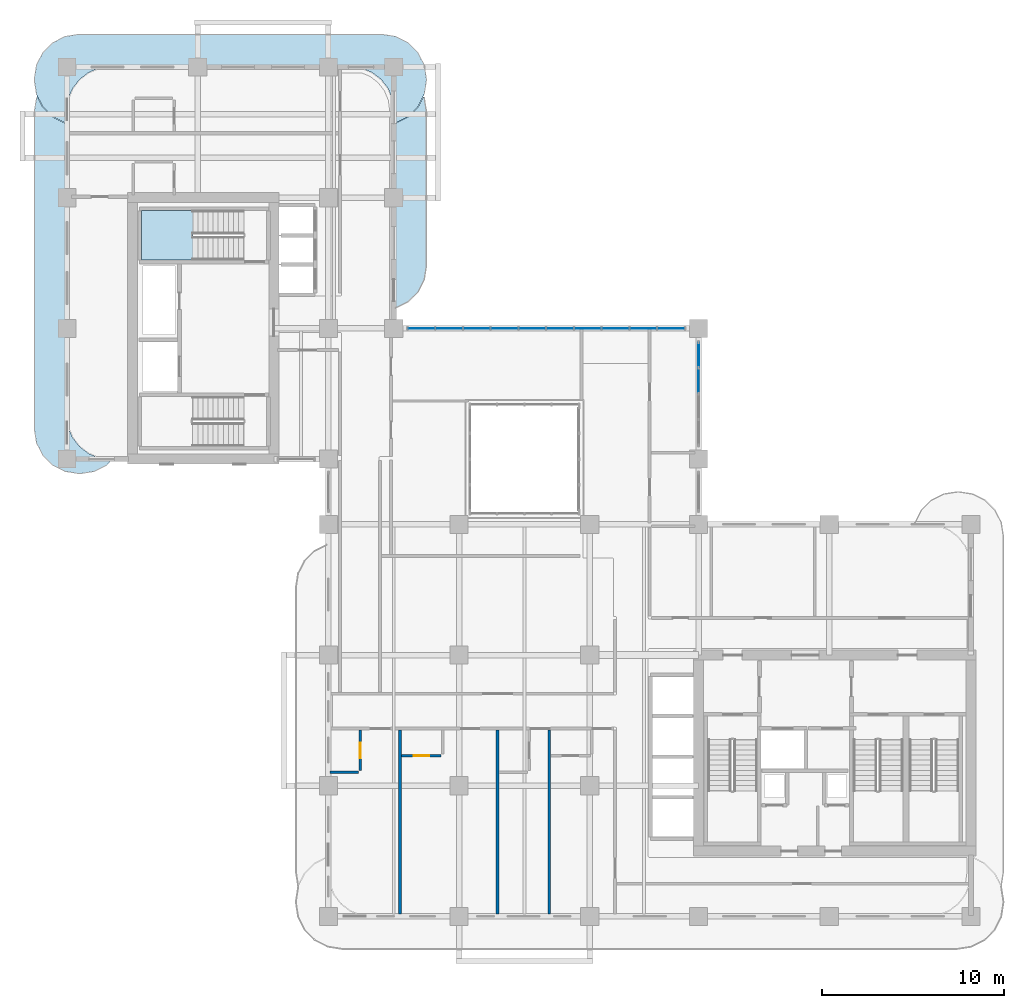
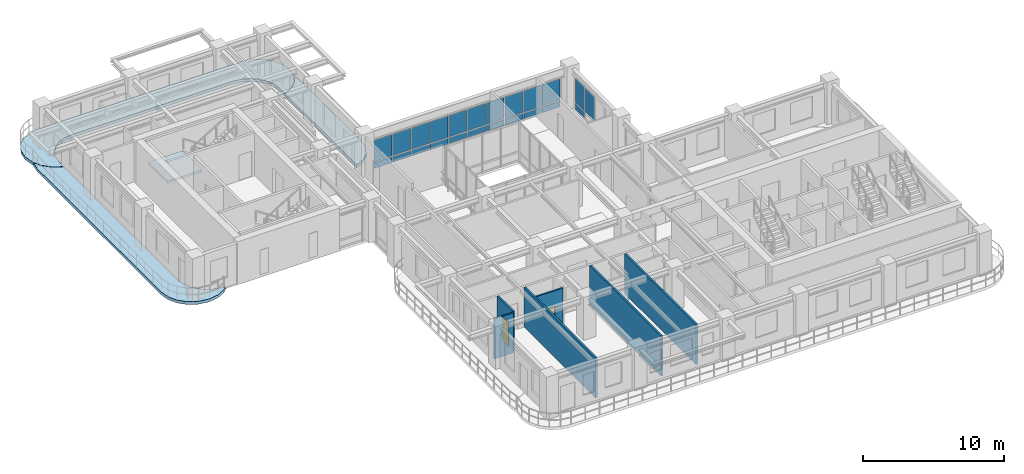
# One storey, part 10 of 20: 23 plates, 6 walls, 4 slabs, 2 doors, 2 openings, 3 elements without a shape of their own.
"""IFC4 building model written with IfcOpenShell, lengths in metres."""

import ifcopenshell
import ifcopenshell.guid

model = None  # the IFC model being written
_history = None  # IfcOwnerHistory: only IFC2X3 demands one
_inside = {}  # id of a spatial element -> (the spatial element, [elements in it])
_under = {}  # id of a project, library or spatial element -> (it, [spatial elements below it])
_declared = {}  # id of a project -> (the project, [libraries it declares])
_typed = {}  # id of a type object -> (the type object, [elements of that type])
_made_of = {}  # id of a material, layer set ... -> (it, [elements and type objects made of it])


def new_model(schema):
    """Start an empty IFC model of exactly this schema.

    Asked for "IFC4X3", IfcOpenShell would pick the latest addendum, in which some entities
    have other attributes; the version numbers below select the first issue.
    IFC2X3 requires an IfcOwnerHistory on every rooted entity: one is made here for all.
    """
    global model, _history
    if schema == "IFC4X3":
        model = ifcopenshell.file(schema_version=(4, 3, 0, 0))
    else:
        model = ifcopenshell.file(schema=schema)
    _inside.clear()
    _under.clear()
    _declared.clear()
    _typed.clear()
    _made_of.clear()
    _history = None
    if model.schema == "IFC2X3":
        org = make("IfcOrganization", Name="unknown")
        user = make(
            "IfcPersonAndOrganization",
            ThePerson=make("IfcPerson", FamilyName="unknown"),
            TheOrganization=org,
        )
        app = make(
            "IfcApplication",
            ApplicationDeveloper=org,
            Version="unknown",
            ApplicationFullName="unknown",
            ApplicationIdentifier="unknown",
        )
        _history = make(
            "IfcOwnerHistory",
            OwningUser=user,
            OwningApplication=app,
            ChangeAction="ADDED",
            CreationDate=0,
        )
    return model


def make(cls, **values):
    """One entity of the class cls with the attributes given. An attribute that is None is left unset."""
    return model.create_entity(
        cls, **{name: value for name, value in values.items() if value is not None}
    )


def rooted(cls, **values):
    """An entity with a GlobalId (a new one), such as an element, a storey or a relation."""
    return make(cls, GlobalId=ifcopenshell.guid.new(), OwnerHistory=_history, **values)


def si_unit(unit_type, name, prefix=None):
    """IfcSIUnit, for example si_unit("LENGTHUNIT", "METRE", prefix="MILLI")."""
    return make("IfcSIUnit", UnitType=unit_type, Prefix=prefix, Name=name)


def derived_unit(unit_type, elements):
    """IfcDerivedUnit: a product of units, each with its exponent."""
    return make(
        "IfcDerivedUnit",
        Elements=[
            make("IfcDerivedUnitElement", Unit=unit, Exponent=power)
            for unit, power in elements
        ],
        UnitType=unit_type,
    )


def assignment(units):
    """IfcUnitAssignment: the units of a project."""
    return None if units is None else make("IfcUnitAssignment", Units=units)


def point(xyz):
    """IfcCartesianPoint."""
    return None if xyz is None else make("IfcCartesianPoint", Coordinates=xyz)


def direction(xyz):
    """IfcDirection."""
    return None if xyz is None else make("IfcDirection", DirectionRatios=xyz)


def frame(location, z_axis=None, x_axis=None):
    """IfcAxis2Placement3D, a coordinate frame: its origin and axes. An axis left out is left unset."""
    return make(
        "IfcAxis2Placement3D",
        Location=point(location),
        Axis=direction(z_axis),
        RefDirection=direction(x_axis),
    )


def frame_2d(location, x_axis=None):
    """IfcAxis2Placement2D, a coordinate frame in the plane: its origin and x axis."""
    return make(
        "IfcAxis2Placement2D", Location=point(location), RefDirection=direction(x_axis)
    )


def origin():
    """The frame at (0, 0, 0) with its axes left unset."""
    return frame((0.0, 0.0, 0.0))


def origin_2d():
    """The frame at (0, 0) in the plane with its x axis left unset."""
    return frame_2d((0.0, 0.0))


def place(relative_to, where):
    """IfcLocalPlacement: puts the frame where relative to a parent placement (None: the world)."""
    return make(
        "IfcLocalPlacement", PlacementRelTo=relative_to, RelativePlacement=where
    )


def context(
    kind, dimensions, precision=None, world=None, true_north=None, identifier=None
):
    """IfcGeometricRepresentationContext, for example the 3D "Model" context."""
    return make(
        "IfcGeometricRepresentationContext",
        ContextIdentifier=identifier,
        ContextType=kind,
        CoordinateSpaceDimension=dimensions,
        Precision=precision,
        WorldCoordinateSystem=world,
        TrueNorth=true_north,
    )


def subcontext(parent, identifier, kind, view, scale=None):
    """IfcGeometricRepresentationSubContext, for example "Body" below "Model"."""
    return make(
        "IfcGeometricRepresentationSubContext",
        ContextIdentifier=identifier,
        ContextType=kind,
        ParentContext=parent,
        TargetScale=scale,
        TargetView=view,
    )


def project(units=None, contexts=None):
    """IfcProject with its units and contexts."""
    return rooted(
        "IfcProject",
        Name="project",
        RepresentationContexts=contexts,
        UnitsInContext=assignment(units),
    )


def spatial(cls, under=None, at=None, **own):
    """A site, building, storey or space (cls), placed at a placement, below another one or the project."""
    s = rooted(cls, ObjectPlacement=at, **own)
    if under is not None:
        _under.setdefault(under.id(), (under, []))[1].append(s)
    return s


def polyline(points):
    """IfcPolyline through the points."""
    return make("IfcPolyline", Points=[point(p) for p in points])


def profile(cls, at=None, kind="AREA", **sizes):
    """A parametric profile (cls). Its sizes go by their IFC names, for example OverallWidth=200.0."""
    return make(cls, ProfileType=kind, Position=at, **sizes)


def rectangle(**sizes):
    """IfcRectangleProfileDef."""
    return profile("IfcRectangleProfileDef", **sizes)


def outline(outer, holes=None, kind="AREA"):
    """IfcArbitraryClosedProfileDef: a profile drawn as a closed curve; with holes, ...WithVoids."""
    if holes is None:
        return make("IfcArbitraryClosedProfileDef", ProfileType=kind, OuterCurve=outer)
    return make(
        "IfcArbitraryProfileDefWithVoids",
        ProfileType=kind,
        OuterCurve=outer,
        InnerCurves=holes,
    )


def extrude(swept, where, along, depth):
    """IfcExtrudedAreaSolid: the profile swept, set in the frame where, extruded along a direction by depth."""
    return make(
        "IfcExtrudedAreaSolid",
        SweptArea=swept,
        Position=where,
        ExtrudedDirection=direction(along),
        Depth=depth,
    )


def shape(context_of_items, identifier, shape_type, items):
    """IfcShapeRepresentation: the items that make up one representation, for example the "Body"."""
    return make(
        "IfcShapeRepresentation",
        ContextOfItems=context_of_items,
        RepresentationIdentifier=identifier,
        RepresentationType=shape_type,
        Items=items,
    )


def source(mapping_origin, context_of_items, identifier, shape_type, items):
    """IfcRepresentationMap: a shape defined once, which mapped items show again and again."""
    return make(
        "IfcRepresentationMap",
        MappingOrigin=mapping_origin,
        MappedRepresentation=shape(context_of_items, identifier, shape_type, items),
    )


def transform(
    local_origin,
    x_axis=None,
    y_axis=None,
    z_axis=None,
    scale=None,
    scale2=None,
    scale3=None,
    uniform=True,
):
    """IfcCartesianTransformationOperator3D, or its non-uniform kind. x_axis, y_axis, z_axis: its Axis1, 2, 3."""
    if uniform:
        return make(
            "IfcCartesianTransformationOperator3D",
            Axis1=direction(x_axis),
            Axis2=direction(y_axis),
            LocalOrigin=point(local_origin),
            Scale=scale,
            Axis3=direction(z_axis),
        )
    return make(
        "IfcCartesianTransformationOperator3DnonUniform",
        Axis1=direction(x_axis),
        Axis2=direction(y_axis),
        LocalOrigin=point(local_origin),
        Scale=scale,
        Axis3=direction(z_axis),
        Scale2=scale2,
        Scale3=scale3,
    )


def mapped(mapping_source, mapping_target):
    """IfcMappedItem: shows the shape of a source again, moved by a transform."""
    return make(
        "IfcMappedItem", MappingSource=mapping_source, MappingTarget=mapping_target
    )


def material(Name=None, Category=None):
    """IfcMaterial."""
    return make("IfcMaterial", Name=Name, Category=Category)


def layer(
    of_material, thickness, ventilated=None, Name=None, Category=None, Priority=None
):
    """IfcMaterialLayer: one layer of a wall or slab, of a material (None: an air gap)."""
    return make(
        "IfcMaterialLayer",
        Material=of_material,
        LayerThickness=thickness,
        IsVentilated=ventilated,
        Name=Name,
        Category=Category,
        Priority=Priority,
    )


def layer_set(layers, Name=None):
    """IfcMaterialLayerSet."""
    return make("IfcMaterialLayerSet", MaterialLayers=layers, LayerSetName=Name)


def made_of(thing, what):
    """Note that an element or type object is made of a material, layer set ...; save() writes the relation."""
    if what is not None:
        _made_of.setdefault(what.id(), (what, []))[1].append(thing)
    return thing


def type_object(cls, material=None, **own):
    """A type object (cls), such as IfcWallType, which elements share."""
    return made_of(rooted(cls, **own), material)


def type_shapes(of_type, sources):
    """Give a type object the sources (RepresentationMaps) that its elements show as mapped items."""
    of_type.RepresentationMaps = sources


def element(
    cls,
    number,
    at=None,
    inside=None,
    cuts=None,
    type_object=None,
    material=None,
    context=None,
    identifier="Body",
    shape_type=None,
    held_by="IfcProductDefinitionShape",
    body=None,
    shapes=None,
    **own,
):
    """One element of the class cls, such as IfcWall. Its Tag is "e" and its number.

    at: its placement. inside: the storey or other place that contains it. cuts: it is an
    opening in that element (IfcRelVoidsElement). A single representation is given by context,
    identifier, shape_type and body (its items); several are given by shapes. held_by: the class
    of the entity that holds the representations. save() writes the other relations.
    """
    e = rooted(cls, Tag="e%d" % number, ObjectPlacement=at, **own)
    if body is not None:
        shapes = [shape(context, identifier, shape_type, body)]
    if shapes is not None:
        e.Representation = make(held_by, Representations=shapes)
    if inside is not None:
        _inside.setdefault(inside.id(), (inside, []))[1].append(e)
    if cuts is not None:
        rooted(
            "IfcRelVoidsElement", RelatingBuildingElement=cuts, RelatedOpeningElement=e
        )
    if type_object is not None:
        _typed.setdefault(type_object.id(), (type_object, []))[1].append(e)
    return made_of(e, material)


def fill(opening, filler):
    """IfcRelFillsElement: the door or window that sits in an opening."""
    return rooted(
        "IfcRelFillsElement",
        RelatingOpeningElement=opening,
        RelatedBuildingElement=filler,
    )


def aggregate(whole, parts):
    """IfcRelAggregates: a whole, such as a stair, and the parts it consists of."""
    return rooted("IfcRelAggregates", RelatingObject=whole, RelatedObjects=parts)


def save(model, path):
    """Write the relations noted so far, then the file.

    IfcRelAggregates (storeys below a building ...), IfcRelContainedInSpatialStructure (elements
    in a storey), IfcRelDefinesByType, IfcRelAssociatesMaterial and IfcRelDeclares: one each for
    every whole, place, type object, material and project.
    """
    for whole, parts in _under.values():
        aggregate(whole, parts)
    for where, things in _inside.values():
        rooted(
            "IfcRelContainedInSpatialStructure",
            RelatedElements=things,
            RelatingStructure=where,
        )
    for kind, things in _typed.values():
        rooted("IfcRelDefinesByType", RelatedObjects=things, RelatingType=kind)
    for what, things in _made_of.values():
        rooted("IfcRelAssociatesMaterial", RelatedObjects=things, RelatingMaterial=what)
    for by, libraries in _declared.values():
        rooted("IfcRelDeclares", RelatingContext=by, RelatedDefinitions=libraries)
    model.write(path)


model = new_model("IFC4")

# Units and contexts
model_context = context("Model", 3, precision=1e-05, world=origin(), true_north=direction((0.0, 1.0)))
body_context = subcontext(model_context, "Body", "Model", "MODEL_VIEW")
ifc_project = project(units=[si_unit("LENGTHUNIT", "METRE"), si_unit("AREAUNIT", "SQUARE_METRE"), si_unit("VOLUMEUNIT", "CUBIC_METRE"), si_unit("PLANEANGLEUNIT", "RADIAN"), si_unit("MASSUNIT", "GRAM", prefix="KILO"), si_unit("THERMODYNAMICTEMPERATUREUNIT", "KELVIN"), si_unit("POWERUNIT", "WATT"), derived_unit("THERMALTRANSMITTANCEUNIT", [(si_unit("POWERUNIT", "WATT"), 1), (si_unit("AREAUNIT", "SQUARE_METRE"), -1), (si_unit("THERMODYNAMICTEMPERATUREUNIT", "KELVIN"), -1)])], contexts=[model_context])

# Site, building, storey
site_placement = place(None, origin())
site = spatial("IfcSite", under=ifc_project, at=site_placement, CompositionType="ELEMENT")
building_placement = place(site_placement, origin())
building = spatial("IfcBuilding", under=site, at=building_placement, Name="Zahravan Archway Hotel and Residences", CompositionType="ELEMENT")
storey_placement = place(building_placement, frame((0.0, 0.0, 119.199951171875)))
storey = spatial("IfcBuildingStorey", under=building, at=storey_placement, Name="L29", CompositionType="ELEMENT", Elevation=119.199951171875)

# Slabs
ifc_material_1 = material(Name="Concrete C45/55", Category="concrete")
ifc_layer_1 = layer(ifc_material_1, 0.25, Name="Concrete C45/55", Category="concrete")
ifc_layer_set_1 = layer_set([ifc_layer_1], Name="Concrete C45/55")
slab_type_1 = type_object("IfcSlabType", Name="SLB-BALC-250", PredefinedType="FLOOR", material=ifc_layer_set_1)
slab_1_placement = place(storey_placement, frame((0.0, 0.0, -0.25)))
element("IfcSlab", 1, at=slab_1_placement, inside=storey, type_object=slab_type_1, Name="L29 Wing B North Rounded Balcony Band", PredefinedType="FLOOR", context=body_context, shape_type="SweptSolid", body=[
    extrude(outline(polyline([(-0.107177734375, 43.719970703125), (-0.7900390625, 44.06787109375), (-1.33203125, 44.60986328125), (-1.68017578125, 45.29296875), (-1.800048828125, 46.050048828125), (-1.800048828125, 46.14990234375), (-1.68017578125, 46.906982421875), (-1.33203125, 47.590087890625), (-0.7900390625, 48.132080078125), (-0.107177734375, 48.47998046875), (0.64990234375, 48.60009765625), (17.35009765625, 48.60009765625), (18.107177734375, 48.47998046875), (18.7900390625, 48.132080078125), (19.33203125, 47.590087890625), (19.68017578125, 46.906982421875), (19.800048828125, 46.14990234375), (19.800048828125, 46.050048828125), (19.68017578125, 45.29296875), (19.33203125, 44.60986328125), (18.7900390625, 44.06787109375), (18.107177734375, 43.719970703125), (18.02001953125, 43.7060546875), (18.02001953125, 44.39990234375), (18.019775390625, 44.402587890625), (17.93798828125, 45.023681640625), (17.937744140625, 45.025390625), (17.937255859375, 45.027099609375), (17.936767578125, 45.02880859375), (17.697021484375, 45.607666015625), (17.6962890625, 45.609130859375), (17.6953125, 45.610595703125), (17.6943359375, 45.6123046875), (17.31298828125, 46.109375), (17.311767578125, 46.110595703125), (17.310546875, 46.11181640625), (17.309326171875, 46.113037109375), (16.812255859375, 46.494384765625), (16.810791015625, 46.495361328125), (16.80908203125, 46.49609375), (16.8076171875, 46.4970703125), (16.22900390625, 46.73681640625), (16.227294921875, 46.7373046875), (16.2255859375, 46.73779296875), (16.223876953125, 46.738037109375), (15.6025390625, 46.81982421875), (15.60009765625, 46.820068359375), (2.39990234375, 46.820068359375), (2.3974609375, 46.81982421875), (1.776123046875, 46.738037109375), (1.7744140625, 46.73779296875), (1.772705078125, 46.7373046875), (1.77099609375, 46.73681640625), (1.1923828125, 46.4970703125), (1.19091796875, 46.49609375), (1.189208984375, 46.495361328125), (1.187744140625, 46.494384765625), (0.690673828125, 46.113037109375), (0.689453125, 46.11181640625), (0.688232421875, 46.110595703125), (0.68701171875, 46.109375), (0.3056640625, 45.6123046875), (0.3046875, 45.610595703125), (0.3037109375, 45.609130859375), (0.302978515625, 45.607666015625), (0.063232421875, 45.02880859375), (0.062744140625, 45.027099609375), (0.062255859375, 45.025390625), (0.06201171875, 45.023681640625), (-0.019775390625, 44.402587890625), (-0.02001953125, 44.39990234375), (-0.02001953125, 43.7060546875), (-0.107177734375, 43.719970703125)])), origin(), (0.0, 0.0, 1.0), 0.25),
])
slab_2_placement = place(storey_placement, frame((0.0, 0.0, -0.25)))
element("IfcSlab", 2, at=slab_2_placement, inside=storey, type_object=slab_type_1, Name="L29 Wing B West Rounded Balcony Band", PredefinedType="FLOOR", context=body_context, shape_type="SweptSolid", body=[
    extrude(outline(polyline([(2.190185546875, 24.867919921875), (1.507080078125, 24.52001953125), (0.75, 24.39990234375), (0.64990234375, 24.39990234375), (-0.107177734375, 24.52001953125), (-0.7900390625, 24.867919921875), (-1.33203125, 25.409912109375), (-1.68017578125, 26.093017578125), (-1.800048828125, 26.85009765625), (-1.800048828125, 44.35009765625), (-1.68017578125, 45.107177734375), (-1.64404296875, 45.177978515625), (-1.349853515625, 44.600830078125), (-1.348876953125, 44.59912109375), (-1.34765625, 44.597412109375), (-1.34619140625, 44.595703125), (-0.80419921875, 44.0537109375), (-0.802734375, 44.052490234375), (-0.801025390625, 44.051025390625), (-0.79931640625, 44.050048828125), (-0.1162109375, 43.7021484375), (-0.1142578125, 43.701171875), (-0.1123046875, 43.70068359375), (-0.110107421875, 43.7001953125), (-0.023193359375, 43.686279296875), (-0.021240234375, 43.68603515625), (-0.02001953125, 43.68603515625), (-0.02001953125, 27.60009765625), (-0.019775390625, 27.597412109375), (0.06201171875, 26.976318359375), (0.062255859375, 26.974609375), (0.062744140625, 26.972900390625), (0.063232421875, 26.97119140625), (0.302978515625, 26.392333984375), (0.3037109375, 26.390869140625), (0.3046875, 26.389404296875), (0.3056640625, 26.3876953125), (0.68701171875, 25.890625), (0.688232421875, 25.889404296875), (0.689453125, 25.88818359375), (0.690673828125, 25.886962890625), (1.187744140625, 25.505615234375), (1.189208984375, 25.504638671875), (1.19091796875, 25.50390625), (1.1923828125, 25.5029296875), (1.77099609375, 25.26318359375), (1.772705078125, 25.2626953125), (1.7744140625, 25.26220703125), (1.776123046875, 25.261962890625), (2.3974609375, 25.18017578125), (2.39990234375, 25.179931640625), (2.502197265625, 25.179931640625), (2.190185546875, 24.867919921875)])), origin(), (0.0, 0.0, 1.0), 0.25),
])
slab_3_placement = place(storey_placement, frame((0.0, 0.0, -0.25)))
element("IfcSlab", 3, at=slab_3_placement, inside=storey, type_object=slab_type_1, Name="L29 Wing B East Rounded Balcony Band", PredefinedType="FLOOR", context=body_context, shape_type="SweptSolid", body=[
    extrude(outline(polyline([(19.68017578125, 45.107177734375), (19.800048828125, 44.35009765625), (19.800048828125, 35.85009765625), (19.68017578125, 35.093017578125), (19.33203125, 34.409912109375), (18.7900390625, 33.867919921875), (18.107177734375, 33.52001953125), (18.02001953125, 33.506103515625), (18.02001953125, 43.68603515625), (18.021240234375, 43.68603515625), (18.023193359375, 43.686279296875), (18.110107421875, 43.7001953125), (18.1123046875, 43.70068359375), (18.1142578125, 43.701171875), (18.1162109375, 43.7021484375), (18.79931640625, 44.050048828125), (18.801025390625, 44.051025390625), (18.802734375, 44.052490234375), (18.80419921875, 44.0537109375), (19.34619140625, 44.595703125), (19.34765625, 44.597412109375), (19.348876953125, 44.59912109375), (19.349853515625, 44.600830078125), (19.64404296875, 45.177978515625), (19.68017578125, 45.107177734375)])), origin(), (0.0, 0.0, 1.0), 0.25),
])

# Stair, slab
ifc_material_2 = material(Name="Concrete C50/60", Category="concrete")
stair_type = type_object("IfcStairType", Name="STR-CORE-1300", PredefinedType="HALF_TURN_STAIR", material=ifc_material_2)
stair_placement = place(storey_placement, origin())
stair = element("IfcStair", 4, at=stair_placement, inside=storey, type_object=stair_type, Name="L29 Core B Exit Stair 2", PredefinedType="HALF_TURN_STAIR")
ifc_layer_2 = layer(ifc_material_2, 0.199951171875, Name="Concrete C50/60", Category="concrete")
ifc_layer_set_2 = layer_set([ifc_layer_2], Name="Concrete C50/60")
slab_type_2 = type_object("IfcSlabType", Name="SLB-LND-200", PredefinedType="LANDING", material=ifc_layer_set_2)
slab_4_placement = place(storey_placement, frame((0.0, 0.0, 1.650146484375)))
slab_4 = element("IfcSlab", 5, at=slab_4_placement, type_object=slab_type_2, Name="ST-B2 landing 1", PredefinedType="LANDING", context=body_context, shape_type="SweptSolid", body=[
    extrude(outline(polyline([(6.929931640625, 38.89990234375), (4.10009765625, 38.89990234375), (4.10009765625, 36.159912109375), (6.929931640625, 36.159912109375), (6.929931640625, 38.89990234375)])), origin(), (0.0, 0.0, 1.0), 0.199951171875),
])
aggregate(stair, [slab_4])

# Curtain wall, plates
ifc_material_3 = material(Name="Bronze-Anodized Unitised Aluminium & Low-E Glass", Category="aluminium")
ifc_layer_3 = layer(ifc_material_3, 0.179931640625, Name="Bronze-Anodized Unitised Aluminium & Low-E Glass", Category="aluminium")
ifc_layer_set_3 = layer_set([ifc_layer_3], Name="Bronze-Anodized Unitised Aluminium & Low-E Glass")
curtain_wall_type = type_object("IfcCurtainWallType", Name="CW-ATR-GLAZ", PredefinedType="NOTDEFINED", material=ifc_layer_set_3)
curtain_wall_1_placement = place(storey_placement, origin())
curtain_wall_1 = element("IfcCurtainWall", 6, at=curtain_wall_1_placement, inside=storey, type_object=curtain_wall_type, Name="L29 Curtain Wall CW-L29-HNG-N-1", PredefinedType="NOTDEFINED")
ifc_material_4 = material(Name="Insulated Terracotta Spandrel Panel", Category="masonry")
ifc_layer_4 = layer(ifc_material_4, 0.0400390625, Name="Insulated Terracotta Spandrel Panel", Category="masonry")
ifc_layer_set_4 = layer_set([ifc_layer_4], Name="Insulated Terracotta Spandrel Panel")
plate_type_1 = type_object("IfcPlateType", Name="CWP-SPN-40", PredefinedType="SHEET", material=ifc_layer_set_4)
shared_shape_1 = source(origin(), body_context, "Body", "SweptSolid", [
    extrude(rectangle(XDim=1.447998046875, YDim=0.0400390625, at=origin_2d()), origin(), (0.0, 0.0, 1.0), 0.492431640625),
])
plate_1_placement = place(storey_placement, frame((19.52392578125, 32.39990234375, 0.10009765625), z_axis=(0.0, 0.0, 1.0), x_axis=(1.0, 0.0, 0.0)))
plate_1 = element("IfcPlate", 7, at=plate_1_placement, type_object=plate_type_1, Name="CW-L29-HNG-N-1 Spandrel Panel 0", PredefinedType="SHEET", context=body_context, shape_type="MappedRepresentation", body=[
    mapped(shared_shape_1, transform((0.0, 0.0, 0.0), scale=1.0)),
])
plate_2_placement = place(storey_placement, frame((21.052001953125, 32.39990234375, 0.10009765625), z_axis=(0.0, 0.0, 1.0), x_axis=(1.0, 0.0, 0.0)))
plate_2 = element("IfcPlate", 8, at=plate_2_placement, type_object=plate_type_1, Name="CW-L29-HNG-N-1 Spandrel Panel 1", PredefinedType="SHEET", context=body_context, shape_type="MappedRepresentation", body=[
    mapped(shared_shape_1, transform((0.0, 0.0, 0.0), scale=1.0)),
])
plate_3_placement = place(storey_placement, frame((22.580078125, 32.39990234375, 0.10009765625), z_axis=(0.0, 0.0, 1.0), x_axis=(1.0, 0.0, 0.0)))
plate_3 = element("IfcPlate", 9, at=plate_3_placement, type_object=plate_type_1, Name="CW-L29-HNG-N-1 Spandrel Panel 2", PredefinedType="SHEET", context=body_context, shape_type="MappedRepresentation", body=[
    mapped(shared_shape_1, transform((0.0, 0.0, 0.0), scale=1.0)),
])
plate_4_placement = place(storey_placement, frame((24.10791015625, 32.39990234375, 0.10009765625), z_axis=(0.0, 0.0, 1.0), x_axis=(1.0, 0.0, 0.0)))
plate_4 = element("IfcPlate", 10, at=plate_4_placement, type_object=plate_type_1, Name="CW-L29-HNG-N-1 Spandrel Panel 3", PredefinedType="SHEET", context=body_context, shape_type="MappedRepresentation", body=[
    mapped(shared_shape_1, transform((0.0, 0.0, 0.0), scale=1.0)),
])
plate_5_placement = place(storey_placement, frame((25.635986328125, 32.39990234375, 0.10009765625), z_axis=(0.0, 0.0, 1.0), x_axis=(1.0, 0.0, 0.0)))
plate_5 = element("IfcPlate", 11, at=plate_5_placement, type_object=plate_type_1, Name="CW-L29-HNG-N-1 Spandrel Panel 4", PredefinedType="SHEET", context=body_context, shape_type="MappedRepresentation", body=[
    mapped(shared_shape_1, transform((0.0, 0.0, 0.0), scale=1.0)),
])
plate_6_placement = place(storey_placement, frame((27.1640625, 32.39990234375, 0.10009765625), z_axis=(0.0, 0.0, 1.0), x_axis=(1.0, 0.0, 0.0)))
plate_6 = element("IfcPlate", 12, at=plate_6_placement, type_object=plate_type_1, Name="CW-L29-HNG-N-1 Spandrel Panel 5", PredefinedType="SHEET", context=body_context, shape_type="MappedRepresentation", body=[
    mapped(shared_shape_1, transform((0.0, 0.0, 0.0), scale=1.0)),
])
plate_7_placement = place(storey_placement, frame((28.69189453125, 32.39990234375, 0.10009765625), z_axis=(0.0, 0.0, 1.0), x_axis=(1.0, 0.0, 0.0)))
plate_7 = element("IfcPlate", 13, at=plate_7_placement, type_object=plate_type_1, Name="CW-L29-HNG-N-1 Spandrel Panel 6", PredefinedType="SHEET", context=body_context, shape_type="MappedRepresentation", body=[
    mapped(shared_shape_1, transform((0.0, 0.0, 0.0), scale=1.0)),
])
plate_8_placement = place(storey_placement, frame((30.219970703125, 32.39990234375, 0.10009765625), z_axis=(0.0, 0.0, 1.0), x_axis=(1.0, 0.0, 0.0)))
plate_8 = element("IfcPlate", 14, at=plate_8_placement, type_object=plate_type_1, Name="CW-L29-HNG-N-1 Spandrel Panel 7", PredefinedType="SHEET", context=body_context, shape_type="MappedRepresentation", body=[
    mapped(shared_shape_1, transform((0.0, 0.0, 0.0), scale=1.0)),
])
plate_9_placement = place(storey_placement, frame((31.748046875, 32.39990234375, 0.10009765625), z_axis=(0.0, 0.0, 1.0), x_axis=(1.0, 0.0, 0.0)))
plate_9 = element("IfcPlate", 15, at=plate_9_placement, type_object=plate_type_1, Name="CW-L29-HNG-N-1 Spandrel Panel 8", PredefinedType="SHEET", context=body_context, shape_type="MappedRepresentation", body=[
    mapped(shared_shape_1, transform((0.0, 0.0, 0.0), scale=1.0)),
])
plate_10_placement = place(storey_placement, frame((33.27587890625, 32.39990234375, 0.10009765625), z_axis=(0.0, 0.0, 1.0), x_axis=(1.0, 0.0, 0.0)))
plate_10 = element("IfcPlate", 16, at=plate_10_placement, type_object=plate_type_1, Name="CW-L29-HNG-N-1 Spandrel Panel 9", PredefinedType="SHEET", context=body_context, shape_type="MappedRepresentation", body=[
    mapped(shared_shape_1, transform((0.0, 0.0, 0.0), scale=1.0)),
])
ifc_material_5 = material(Name="Double-Silver Low-E Insulated Vision Glass", Category="glass")
ifc_layer_5 = layer(ifc_material_5, 0.028076171875, Name="Double-Silver Low-E Insulated Vision Glass", Category="glass")
ifc_layer_set_5 = layer_set([ifc_layer_5], Name="Double-Silver Low-E Insulated Vision Glass")
plate_type_2 = type_object("IfcPlateType", Name="CWP-GLZ-28", PredefinedType="CURTAIN_PANEL", material=ifc_layer_set_5)
shared_shape_2 = source(origin(), body_context, "Body", "SweptSolid", [
    extrude(rectangle(XDim=1.447998046875, YDim=0.028076171875, at=origin_2d()), origin(), (0.0, 0.0, 1.0), 1.862548828125),
])
plate_11_placement = place(storey_placement, frame((19.52392578125, 32.39990234375, 0.67236328125), z_axis=(0.0, 0.0, 1.0), x_axis=(1.0, 0.0, 0.0)))
plate_11 = element("IfcPlate", 17, at=plate_11_placement, type_object=plate_type_2, Name="CW-L29-HNG-N-1 Low-E Vision Panel 0", PredefinedType="CURTAIN_PANEL", context=body_context, shape_type="MappedRepresentation", body=[
    mapped(shared_shape_2, transform((0.0, 0.0, 0.0), scale=1.0)),
])
plate_12_placement = place(storey_placement, frame((21.052001953125, 32.39990234375, 0.67236328125), z_axis=(0.0, 0.0, 1.0), x_axis=(1.0, 0.0, 0.0)))
plate_12 = element("IfcPlate", 18, at=plate_12_placement, type_object=plate_type_2, Name="CW-L29-HNG-N-1 Low-E Vision Panel 1", PredefinedType="CURTAIN_PANEL", context=body_context, shape_type="MappedRepresentation", body=[
    mapped(shared_shape_2, transform((0.0, 0.0, 0.0), scale=1.0)),
])
plate_13_placement = place(storey_placement, frame((22.580078125, 32.39990234375, 0.67236328125), z_axis=(0.0, 0.0, 1.0), x_axis=(1.0, 0.0, 0.0)))
plate_13 = element("IfcPlate", 19, at=plate_13_placement, type_object=plate_type_2, Name="CW-L29-HNG-N-1 Low-E Vision Panel 2", PredefinedType="CURTAIN_PANEL", context=body_context, shape_type="MappedRepresentation", body=[
    mapped(shared_shape_2, transform((0.0, 0.0, 0.0), scale=1.0)),
])
plate_14_placement = place(storey_placement, frame((24.10791015625, 32.39990234375, 0.67236328125), z_axis=(0.0, 0.0, 1.0), x_axis=(1.0, 0.0, 0.0)))
plate_14 = element("IfcPlate", 20, at=plate_14_placement, type_object=plate_type_2, Name="CW-L29-HNG-N-1 Low-E Vision Panel 3", PredefinedType="CURTAIN_PANEL", context=body_context, shape_type="MappedRepresentation", body=[
    mapped(shared_shape_2, transform((0.0, 0.0, 0.0), scale=1.0)),
])
plate_15_placement = place(storey_placement, frame((25.635986328125, 32.39990234375, 0.67236328125), z_axis=(0.0, 0.0, 1.0), x_axis=(1.0, 0.0, 0.0)))
plate_15 = element("IfcPlate", 21, at=plate_15_placement, type_object=plate_type_2, Name="CW-L29-HNG-N-1 Low-E Vision Panel 4", PredefinedType="CURTAIN_PANEL", context=body_context, shape_type="MappedRepresentation", body=[
    mapped(shared_shape_2, transform((0.0, 0.0, 0.0), scale=1.0)),
])
plate_16_placement = place(storey_placement, frame((27.1640625, 32.39990234375, 0.67236328125), z_axis=(0.0, 0.0, 1.0), x_axis=(1.0, 0.0, 0.0)))
plate_16 = element("IfcPlate", 22, at=plate_16_placement, type_object=plate_type_2, Name="CW-L29-HNG-N-1 Low-E Vision Panel 5", PredefinedType="CURTAIN_PANEL", context=body_context, shape_type="MappedRepresentation", body=[
    mapped(shared_shape_2, transform((0.0, 0.0, 0.0), scale=1.0)),
])
plate_17_placement = place(storey_placement, frame((28.69189453125, 32.39990234375, 0.67236328125), z_axis=(0.0, 0.0, 1.0), x_axis=(1.0, 0.0, 0.0)))
plate_17 = element("IfcPlate", 23, at=plate_17_placement, type_object=plate_type_2, Name="CW-L29-HNG-N-1 Low-E Vision Panel 6", PredefinedType="CURTAIN_PANEL", context=body_context, shape_type="MappedRepresentation", body=[
    mapped(shared_shape_2, transform((0.0, 0.0, 0.0), scale=1.0)),
])
plate_18_placement = place(storey_placement, frame((30.219970703125, 32.39990234375, 0.67236328125), z_axis=(0.0, 0.0, 1.0), x_axis=(1.0, 0.0, 0.0)))
plate_18 = element("IfcPlate", 24, at=plate_18_placement, type_object=plate_type_2, Name="CW-L29-HNG-N-1 Low-E Vision Panel 7", PredefinedType="CURTAIN_PANEL", context=body_context, shape_type="MappedRepresentation", body=[
    mapped(shared_shape_2, transform((0.0, 0.0, 0.0), scale=1.0)),
])
plate_19_placement = place(storey_placement, frame((31.748046875, 32.39990234375, 0.67236328125), z_axis=(0.0, 0.0, 1.0), x_axis=(1.0, 0.0, 0.0)))
plate_19 = element("IfcPlate", 25, at=plate_19_placement, type_object=plate_type_2, Name="CW-L29-HNG-N-1 Low-E Vision Panel 8", PredefinedType="CURTAIN_PANEL", context=body_context, shape_type="MappedRepresentation", body=[
    mapped(shared_shape_2, transform((0.0, 0.0, 0.0), scale=1.0)),
])
plate_20_placement = place(storey_placement, frame((33.27587890625, 32.39990234375, 0.67236328125), z_axis=(0.0, 0.0, 1.0), x_axis=(1.0, 0.0, 0.0)))
plate_20 = element("IfcPlate", 26, at=plate_20_placement, type_object=plate_type_2, Name="CW-L29-HNG-N-1 Low-E Vision Panel 9", PredefinedType="CURTAIN_PANEL", context=body_context, shape_type="MappedRepresentation", body=[
    mapped(shared_shape_2, transform((0.0, 0.0, 0.0), scale=1.0)),
])
aggregate(curtain_wall_1, [plate_1, plate_11, plate_2, plate_12, plate_3, plate_13, plate_4, plate_14, plate_5, plate_15, plate_6, plate_16, plate_7, plate_17, plate_8, plate_18, plate_9, plate_19, plate_10, plate_20])

curtain_wall_2_placement = place(storey_placement, origin())
curtain_wall_2 = element("IfcCurtainWall", 27, at=curtain_wall_2_placement, inside=storey, type_object=curtain_wall_type, Name="L29 Curtain Wall CW-L29-HNG-E-2", PredefinedType="NOTDEFINED")
shared_shape_3 = source(origin(), body_context, "Body", "SweptSolid", [
    extrude(rectangle(XDim=1.340087890625, YDim=0.0400390625, at=origin_2d()), origin(), (0.0, 0.0, 1.0), 0.564453125),
])
plate_21_placement = place(storey_placement, frame((34.800048828125, 30.929931640625, 0.10009765625), z_axis=(0.0, 0.0, 1.0), x_axis=(0.0, 1.0, 0.0)))
plate_21 = element("IfcPlate", 28, at=plate_21_placement, type_object=plate_type_1, Name="CW-L29-HNG-E-2 Spandrel Panel 3", PredefinedType="SHEET", context=body_context, shape_type="MappedRepresentation", body=[
    mapped(shared_shape_3, transform((0.0, 0.0, 0.0), scale=1.0)),
])
shared_shape_4 = source(origin(), body_context, "Body", "SweptSolid", [
    extrude(rectangle(XDim=1.340087890625, YDim=0.028076171875, at=origin_2d()), origin(), (0.0, 0.0, 1.0), 2.090576171875),
])
plate_22_placement = place(storey_placement, frame((34.800048828125, 29.510009765625, 0.74462890625), z_axis=(0.0, 0.0, 1.0), x_axis=(0.0, 1.0, 0.0)))
plate_22 = element("IfcPlate", 29, at=plate_22_placement, type_object=plate_type_2, Name="CW-L29-HNG-E-2 Low-E Vision Panel 2", PredefinedType="CURTAIN_PANEL", context=body_context, shape_type="MappedRepresentation", body=[
    mapped(shared_shape_4, transform((0.0, 0.0, 0.0), scale=1.0)),
])
plate_23_placement = place(storey_placement, frame((34.800048828125, 30.929931640625, 0.74462890625), z_axis=(0.0, 0.0, 1.0), x_axis=(0.0, 1.0, 0.0)))
plate_23 = element("IfcPlate", 30, at=plate_23_placement, type_object=plate_type_2, Name="CW-L29-HNG-E-2 Low-E Vision Panel 3", PredefinedType="CURTAIN_PANEL", context=body_context, shape_type="MappedRepresentation", body=[
    mapped(shared_shape_4, transform((0.0, 0.0, 0.0), scale=1.0)),
])
aggregate(curtain_wall_2, [plate_22, plate_21, plate_23])

# Walls
ifc_material_6 = material(Name="Acoustic Stud Partition")
ifc_layer_6 = layer(ifc_material_6, 0.14990234375, Name="Acoustic Stud Partition")
ifc_layer_set_6 = layer_set([ifc_layer_6], Name="Acoustic Stud Partition")
wall_type_1 = type_object("IfcWallType", Name="PW-UNIT-150", PredefinedType="PARTITIONING", material=ifc_layer_set_6)
for number, where, z_axis, x_axis, name in (
    (31, (18.35009765625, 0.14794921875, 0.0), (0.0, 0.0, 1.0), (0.0, 1.0, 0.0), "L29 Partition WAS-4-1"),
    (32, (23.719970703125, 0.14794921875, 0.0), (0.0, 0.0, 1.0), (0.0, 1.0, 0.0), "L29 Partition WAS-4-2"),
    (33, (26.570068359375, 0.14794921875, 0.0), (0.0, 0.0, 1.0), (0.0, 1.0, 0.0), "L29 Partition WAS-4-3"),
):
    element("IfcWall", number, at=place(storey_placement, frame(where, z_axis=z_axis, x_axis=x_axis)), inside=storey, type_object=wall_type_1, Name=name, PredefinedType="PARTITIONING", context=body_context, shape_type="SweptSolid", body=[
        extrude(rectangle(XDim=10.112060546875, YDim=0.14990234375, at=frame_2d((5.05615234375, 0.0))), origin(), (0.0, 0.0, 1.0), 3.449951171875),
    ])

# Wall, opening, door
ifc_material_7 = material(Name="Moisture-Resistant Blockwork", Category="masonry")
ifc_layer_7 = layer(ifc_material_7, 0.139892578125, Name="Moisture-Resistant Blockwork", Category="masonry")
ifc_layer_set_7 = layer_set([ifc_layer_7], Name="Moisture-Resistant Blockwork")
wall_type_2 = type_object("IfcWallType", Name="PW-WET-140", PredefinedType="PARTITIONING", material=ifc_layer_set_7)
wall_1_placement = place(storey_placement, frame((16.14990234375, 8.0400390625, 0.0), z_axis=(0.0, 0.0, 1.0), x_axis=(0.0, 1.0, 0.0)))
wall_1 = element("IfcWall", 34, at=wall_1_placement, inside=storey, type_object=wall_type_2, Name="L29 Partition HKB-V40", PredefinedType="PARTITIONING", context=body_context, shape_type="SweptSolid", body=[
    extrude(rectangle(XDim=2.219970703125, YDim=0.139892578125, at=frame_2d((1.10986328125, 0.0))), origin(), (0.0, 0.0, 1.0), 3.449951171875),
])
opening_1_placement = place(wall_1_placement, frame((0.68505859375, 0.0, 0.0)))
opening_1 = element("IfcOpeningElement", 35, at=opening_1_placement, cuts=wall_1, Name="Opening D-B1", PredefinedType="OPENING", context=body_context, shape_type="SweptSolid", body=[
    extrude(rectangle(XDim=0.85009765625, YDim=2.10009765625, at=frame_2d((0.425048828125, 1.050048828125))), frame((0.0, 0.080078125, 0.0), z_axis=(0.0, -1.0, 0.0), x_axis=(1.0, 0.0, 0.0)), (0.0, 0.0, 1.0), 0.159912109375),
])
ifc_material_8 = material(Name="Hardwood Veneer Timber", Category="wood")
door_type = type_object("IfcDoorType", Name="ID-BATH-850", OperationType="NOTDEFINED", PredefinedType="DOOR", material=ifc_material_8)
shared_shape_5 = source(origin(), body_context, "Body", "SweptSolid", [
    extrude(rectangle(XDim=0.85009765625, YDim=2.10009765625, at=frame_2d((0.425048828125, 1.050048828125))), frame((0.0, 0.02490234375, 0.0), z_axis=(0.0, -1.0, 0.0), x_axis=(1.0, 0.0, 0.0)), (0.0, 0.0, 1.0), 0.050048828125),
])
type_shapes(door_type, [shared_shape_5])
door_1_placement = place(opening_1_placement, origin())
door_1 = element("IfcDoor", 36, at=door_1_placement, inside=storey, type_object=door_type, Name="L29 Guestroom 40 En-Suite Door", OperationType="SINGLE_SWING_LEFT", OverallHeight=2.10009765625, OverallWidth=0.85009765625, PredefinedType="DOOR", context=body_context, shape_type="MappedRepresentation", body=[
    mapped(shared_shape_5, transform((0.0, 0.0, 0.0), scale=1.0)),
])
fill(opening_1, door_1)

# Wall
wall_2_placement = place(storey_placement, frame((14.489990234375, 7.949951171875, 0.0), z_axis=(0.0, 0.0, 1.0), x_axis=(1.0, 0.0, 0.0)))
element("IfcWall", 37, at=wall_2_placement, inside=storey, type_object=wall_type_2, Name="L29 Partition HKB-H40", PredefinedType="PARTITIONING", context=body_context, shape_type="SweptSolid", body=[
    extrude(rectangle(XDim=1.570068359375, YDim=0.139892578125, at=frame_2d((0.78515625, 0.0))), origin(), (0.0, 0.0, 1.0), 3.449951171875),
])

# Wall, opening, door
wall_3_placement = place(storey_placement, frame((18.43994140625, 8.85009765625, 0.0), z_axis=(0.0, 0.0, 1.0), x_axis=(1.0, 0.0, 0.0)))
wall_3 = element("IfcWall", 38, at=wall_3_placement, inside=storey, type_object=wall_type_2, Name="L29 Partition HKB-H41", PredefinedType="PARTITIONING", context=body_context, shape_type="SweptSolid", body=[
    extrude(rectangle(XDim=2.170166015625, YDim=0.139892578125, at=frame_2d((1.0849609375, 0.0))), origin(), (0.0, 0.0, 1.0), 3.449951171875),
])
opening_2_placement = place(wall_3_placement, frame((0.659912109375, 0.0, 0.0)))
opening_2 = element("IfcOpeningElement", 39, at=opening_2_placement, cuts=wall_3, Name="Opening D-B1", PredefinedType="OPENING", context=body_context, shape_type="SweptSolid", body=[
    extrude(rectangle(XDim=0.85009765625, YDim=2.10009765625, at=frame_2d((0.425048828125, 1.050048828125))), frame((0.0, 0.080078125, 0.0), z_axis=(0.0, -1.0, 0.0), x_axis=(1.0, 0.0, 0.0)), (0.0, 0.0, 1.0), 0.159912109375),
])
door_2_placement = place(opening_2_placement, origin())
door_2 = element("IfcDoor", 40, at=door_2_placement, inside=storey, type_object=door_type, Name="L29 Guestroom 41 En-Suite Door", OperationType="SINGLE_SWING_LEFT", OverallHeight=2.10009765625, OverallWidth=0.85009765625, PredefinedType="DOOR", context=body_context, shape_type="MappedRepresentation", body=[
    mapped(shared_shape_5, transform((0.0, 0.0, 0.0), scale=1.0)),
])
fill(opening_2, door_2)

save(model, "model.ifc")
